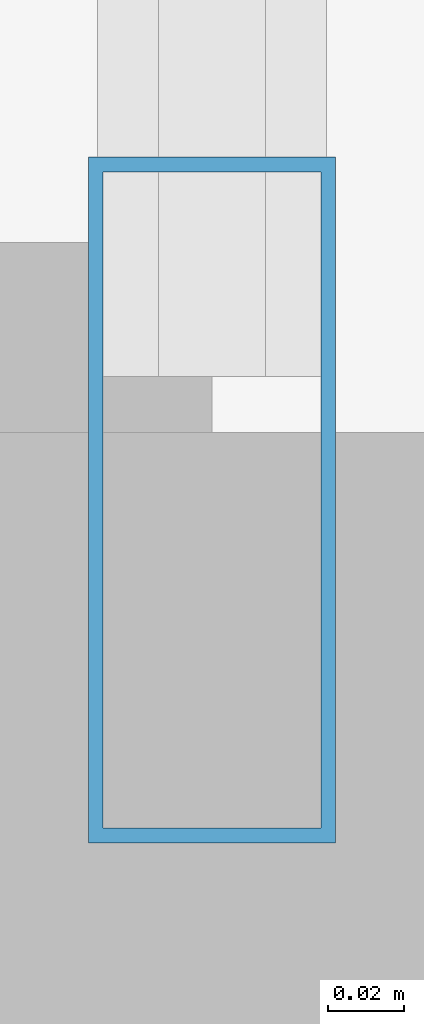
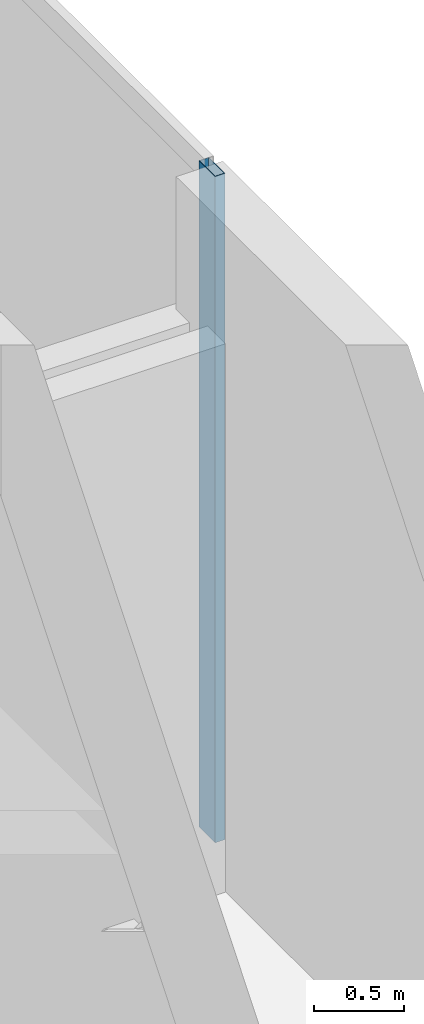
# One storey, part 29 of 58: 1 member, 1 element without a shape of its own.
"""IFC4 building model written with IfcOpenShell, lengths in metres."""

from ifc_helpers import new_model, si_unit, direction, frame, origin, origin_2d, place, context, subcontext, project, spatial, hollow_rectangle, extrude, source, transform, mapped, material, layer, layer_set, material_profile, profile_set, type_object, element, aggregate, save


model = new_model("IFC4")

# Units and contexts
model_context = context("Model", 3, precision=1e-05, world=origin(), true_north=direction((0.0, 1.0)))
body_context = subcontext(model_context, "Body", "Model", "MODEL_VIEW")
ifc_project = project(units=[si_unit("LENGTHUNIT", "METRE"), si_unit("AREAUNIT", "SQUARE_METRE"), si_unit("VOLUMEUNIT", "CUBIC_METRE"), si_unit("PLANEANGLEUNIT", "RADIAN"), si_unit("MASSUNIT", "GRAM", prefix="KILO"), si_unit("THERMODYNAMICTEMPERATUREUNIT", "KELVIN"), si_unit("POWERUNIT", "WATT")], contexts=[model_context])

# Site, building, storey
site_placement = place(None, origin())
site = spatial("IfcSite", under=ifc_project, at=site_placement, CompositionType="ELEMENT")
building_placement = place(site_placement, origin())
building = spatial("IfcBuilding", under=site, at=building_placement, Name="Yunzhuo Pagoda Commons", CompositionType="ELEMENT")
storey_placement = place(building_placement, origin())
storey = spatial("IfcBuildingStorey", under=building, at=storey_placement, Name="L01", CompositionType="ELEMENT", Elevation=0.0)

# Curtain wall, member
ifc_material = material(Name="Anodized aluminium 6063-T6", Category="aluminium")
ifc_layer = layer(ifc_material, 0.179931640625)
ifc_layer_set = layer_set([ifc_layer], Name="Anodized aluminium 6063-T6")
curtain_wall_type = type_object("IfcCurtainWallType", Name="CW-POD Waterfront Podium Curtain Wall", PredefinedType="NOTDEFINED", material=ifc_layer_set)
curtain_wall_placement = place(storey_placement, origin())
curtain_wall = element("IfcCurtainWall", 1, at=curtain_wall_placement, inside=storey, type_object=curtain_wall_type, Name="L01 curtain wall CW-L01-E3", PredefinedType="NOTDEFINED")
ifc_material_profile = material_profile(ifc_material, hollow_rectangle(XDim=0.06494140625, YDim=0.179931640625, WallThickness=0.00390625, at=origin_2d()), Name="Anodized aluminium 6063-T6")
ifc_profile_set = profile_set([ifc_material_profile], Name="Anodized aluminium 6063-T6")
member_type = type_object("IfcMemberType", Name="CW-POD-M Mullion RHS 180x65x4", PredefinedType="MULLION", material=ifc_profile_set)
shared_shape = source(origin(), body_context, "Body", "SweptSolid", [
    extrude(hollow_rectangle(XDim=0.06494140625, YDim=0.179931640625, WallThickness=0.00390625, at=origin_2d()), origin(), (0.0, 0.0, 1.0), 4.520263671875),
])
member_placement = place(storey_placement, frame((91.919921875, 51.032470703125, 0.0), z_axis=(0.0, 0.0, 1.0), x_axis=(-1.0, 0.0, 0.0)))
member = element("IfcMember", 2, at=member_placement, type_object=member_type, Name="CW mullion 1", PredefinedType="MULLION", context=body_context, shape_type="MappedRepresentation", body=[
    mapped(shared_shape, transform((0.0, 0.0, 0.0), scale=1.0)),
])
aggregate(curtain_wall, [member])

save(model, "model.ifc")
